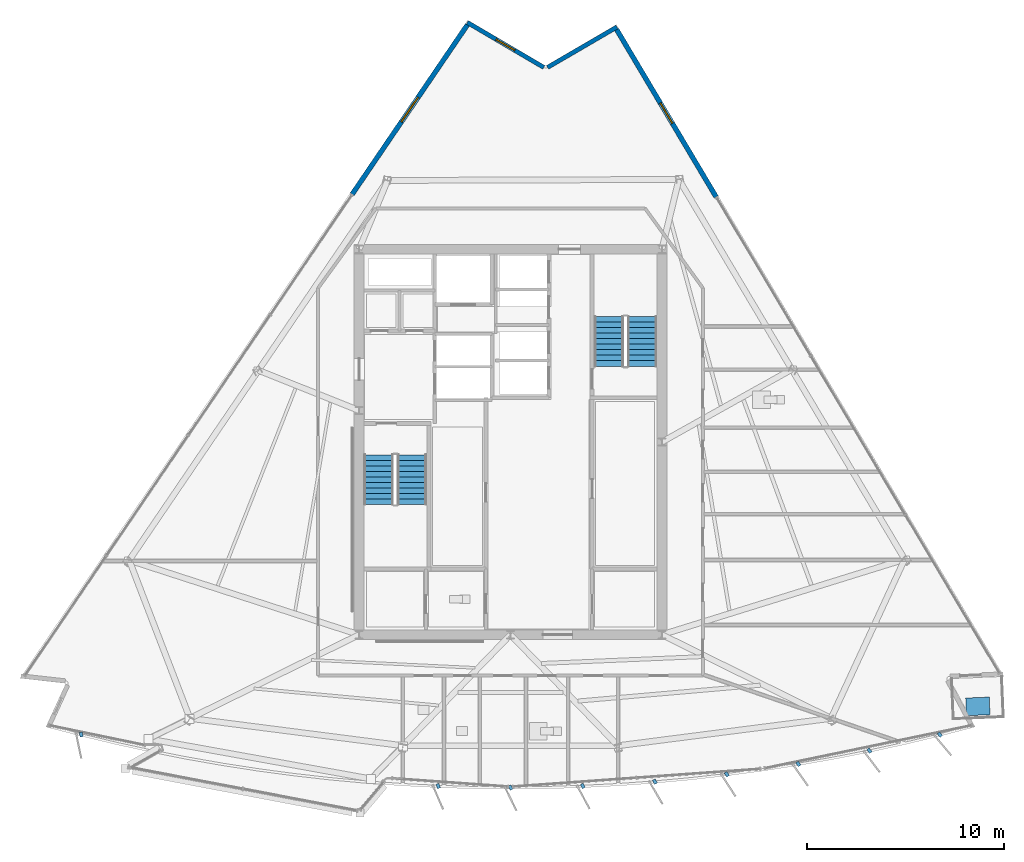
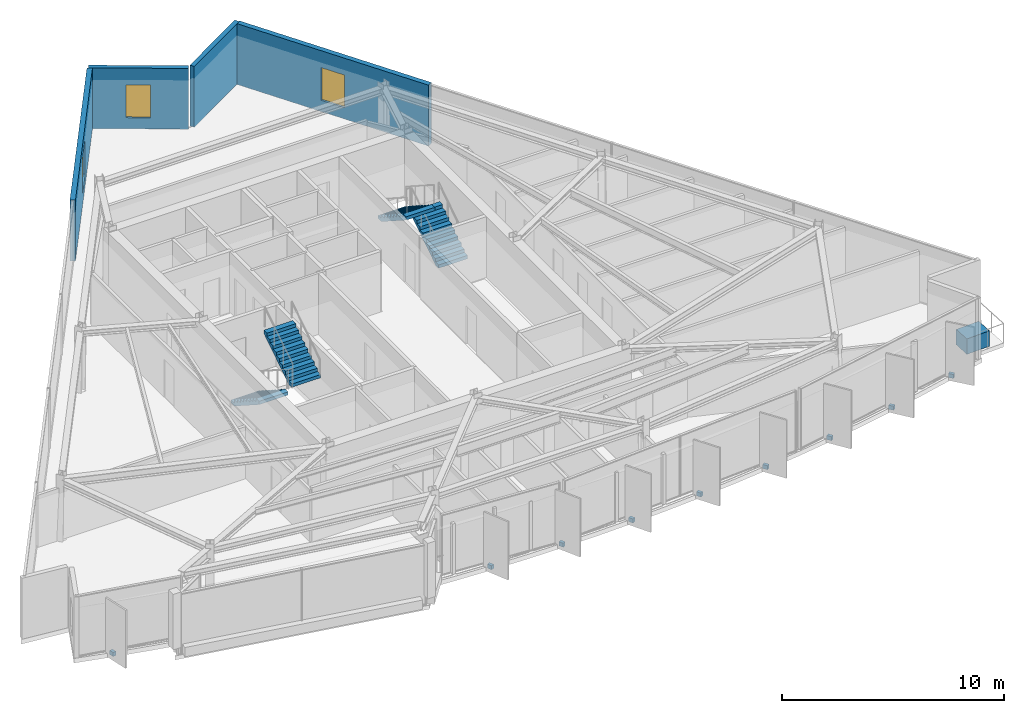
# One storey, part 9 of 14: 10 discrete accessories, 4 stair flights, 4 walls, 3 windows, 3 openings, 2 elements without a shape of their own.
"""IFC4 building model written with IfcOpenShell, lengths in metres."""

from ifc_helpers import new_model, si_unit, direction, frame, frame_2d, origin, origin_2d, place, context, subcontext, project, spatial, polyline, rectangle, outline, extrude, material, layer, layer_set, type_object, element, fill, aggregate, save


model = new_model("IFC4")

# Units and contexts
model_context = context("Model", 3, precision=1e-05, world=origin(), true_north=direction((0.0, 1.0)))
body_context = subcontext(model_context, "Body", "Model", "MODEL_VIEW")
ifc_project = project(units=[si_unit("LENGTHUNIT", "METRE"), si_unit("AREAUNIT", "SQUARE_METRE"), si_unit("VOLUMEUNIT", "CUBIC_METRE"), si_unit("PLANEANGLEUNIT", "RADIAN"), si_unit("MASSUNIT", "GRAM", prefix="KILO")], contexts=[model_context])

# Site, building, storey
site_placement = place(None, origin())
site = spatial("IfcSite", under=ifc_project, at=site_placement, CompositionType="ELEMENT")
building_placement = place(site_placement, origin())
building = spatial("IfcBuilding", under=site, at=building_placement, Name="Savorim Split Tower", CompositionType="ELEMENT")
storey_placement = place(building_placement, frame((0.0, 0.0, 227.10009765625)))
storey = spatial("IfcBuildingStorey", under=building, at=storey_placement, Name="L60", CompositionType="ELEMENT", Elevation=227.10009765625)

# Wall
ifc_material_1 = material(Name="Precast concrete C40/50", Category="concrete")
ifc_layer_1 = layer(ifc_material_1, 0.219970703125)
ifc_layer_set_1 = layer_set([ifc_layer_1], Name="WAL-EXT-CRN220")
wall_type_1 = type_object("IfcWallType", Name="WAL-EXT-CRN220", PredefinedType="SOLIDWALL", material=ifc_layer_set_1)
wall_1_placement = place(storey_placement, frame((1.8837890625, 19.445068359375, 0.0), z_axis=(0.0, 0.0, 1.0), x_axis=(0.863969645804, 0.50354389196, 0.0)))
element("IfcWall", 1, at=wall_1_placement, inside=storey, type_object=wall_type_1, Name="L60 Notched Corner Facade Wall NE1", PredefinedType="SOLIDWALL", context=body_context, shape_type="SweptSolid", body=[
    extrude(rectangle(XDim=4.083740234375, YDim=0.219970703125, at=frame_2d((2.0419921875, 0.0))), origin(), (0.0, 0.0, 1.0), 3.349853515625),
])

# Wall, opening, window
wall_2_placement = place(storey_placement, frame((-2.196533203125, 21.731689453125, 0.0), z_axis=(0.0, 0.0, 1.0), x_axis=(0.862121926844, -0.506700881442, 0.0)))
wall_2 = element("IfcWall", 2, at=wall_2_placement, inside=storey, type_object=wall_type_1, Name="L60 Notched Corner Facade Wall N", PredefinedType="SOLIDWALL", context=body_context, shape_type="SweptSolid", body=[
    extrude(rectangle(XDim=4.51220703125, YDim=0.219970703125, at=frame_2d((2.256103515625, 0.0))), origin(), (0.0, 0.0, 1.0), 3.349853515625),
])
opening_1_placement = place(wall_2_placement, frame((1.7060546875, 0.0, 0.6201171875)))
opening_1 = element("IfcOpeningElement", 3, at=opening_1_placement, cuts=wall_2, Name="Opening WN-09", PredefinedType="OPENING", context=body_context, shape_type="SweptSolid", body=[
    extrude(rectangle(XDim=1.10009765625, YDim=1.800048828125, at=frame_2d((0.550048828125, 0.89990234375))), frame((0.0, 0.119873046875, 0.0), z_axis=(0.0, -1.0, 0.0), x_axis=(1.0, 0.0, 0.0)), (0.0, 0.0, 1.0), 0.239990234375),
])
ifc_material_2 = material(Name="Low-E Operable Double Glazing", Category="glass")
window_type_1 = type_object("IfcWindowType", Name="WIN-TWR-1100x1800", PartitioningType="SINGLE_PANEL", PredefinedType="WINDOW", material=ifc_material_2)
window_1_placement = place(opening_1_placement, origin())
window_1 = element("IfcWindow", 4, at=window_1_placement, inside=storey, type_object=window_type_1, Name="L60 Operable Corner Window N", OverallHeight=1.800048828125, OverallWidth=1.10009765625, PartitioningType="SINGLE_PANEL", PredefinedType="WINDOW", context=body_context, shape_type="SweptSolid", body=[
    extrude(rectangle(XDim=1.10009765625, YDim=1.800048828125, at=frame_2d((0.550048828125, 0.89990234375))), frame((0.0, 0.030029296875, 0.0), z_axis=(0.0, -1.0, 0.0), x_axis=(1.0, 0.0, 0.0)), (0.0, 0.0, 1.0), 0.06005859375),
])
fill(opening_1, window_1)

ifc_layer_2 = layer(ifc_material_1, 0.25)
ifc_layer_set_2 = layer_set([ifc_layer_2], Name="WAL-EXT-SPN250")
wall_type_2 = type_object("IfcWallType", Name="WAL-EXT-SPN250", PredefinedType="SOLIDWALL", material=ifc_layer_set_2)
wall_3_placement = place(storey_placement, frame((5.3955078125, 21.374755859375, 0.0), z_axis=(0.0, 0.0, 1.0), x_axis=(0.511082771111, -0.85953150092, 0.0)))
wall_3 = element("IfcWall", 5, at=wall_3_placement, inside=storey, type_object=wall_type_2, Name="L60 East Operable Window Pier", PredefinedType="SOLIDWALL", context=body_context, shape_type="SweptSolid", body=[
    extrude(rectangle(XDim=9.91064453125, YDim=0.25, at=frame_2d((4.955322265625, 0.0))), origin(), (0.0, 0.0, 1.0), 3.349853515625),
])
opening_2_placement = place(wall_3_placement, frame((4.35546875, 0.0, 0.6201171875)))
opening_2 = element("IfcOpeningElement", 6, at=opening_2_placement, cuts=wall_3, Name="Opening WN-08", PredefinedType="OPENING", context=body_context, shape_type="SweptSolid", body=[
    extrude(rectangle(XDim=1.199951171875, YDim=1.800048828125, at=frame_2d((0.60009765625, 0.89990234375))), frame((0.0, 0.135009765625, 0.0), z_axis=(0.0, -1.0, 0.0), x_axis=(1.0, 0.0, 0.0)), (0.0, 0.0, 1.0), 0.27001953125),
])
window_type_2 = type_object("IfcWindowType", Name="WIN-TWR-1200x1800", PartitioningType="SINGLE_PANEL", PredefinedType="WINDOW", material=ifc_material_2)
window_2_placement = place(opening_2_placement, origin())
window_2 = element("IfcWindow", 7, at=window_2_placement, inside=storey, type_object=window_type_2, Name="L60 East Operable Ventilation Window", OverallHeight=1.800048828125, OverallWidth=1.199951171875, PartitioningType="SINGLE_PANEL", PredefinedType="WINDOW", context=body_context, shape_type="SweptSolid", body=[
    extrude(rectangle(XDim=1.199951171875, YDim=1.800048828125, at=frame_2d((0.60009765625, 0.89990234375))), frame((0.0, 0.030029296875, 0.0), z_axis=(0.0, -1.0, 0.0), x_axis=(1.0, 0.0, 0.0)), (0.0, 0.0, 1.0), 0.06005859375),
])
fill(opening_2, window_2)

wall_4_placement = place(storey_placement, frame((-8.05029296875, 12.998291015625, 0.0), z_axis=(0.0, 0.0, 1.0), x_axis=(0.562447281182, 0.826833148762, 0.0)))
wall_4 = element("IfcWall", 8, at=wall_4_placement, inside=storey, type_object=wall_type_2, Name="L60 West Operable Window Pier", PredefinedType="SOLIDWALL", context=body_context, shape_type="SweptSolid", body=[
    extrude(rectangle(XDim=10.41064453125, YDim=0.25, at=frame_2d((5.205322265625, 0.0))), origin(), (0.0, 0.0, 1.0), 3.349853515625),
])
opening_3_placement = place(wall_4_placement, frame((4.455322265625, 0.0, 0.6201171875)))
opening_3 = element("IfcOpeningElement", 9, at=opening_3_placement, cuts=wall_4, Name="Opening WN-06", PredefinedType="OPENING", context=body_context, shape_type="SweptSolid", body=[
    extrude(rectangle(XDim=1.5, YDim=2.0, at=frame_2d((0.75, 1.0))), frame((0.0, 0.135009765625, 0.0), z_axis=(0.0, -1.0, 0.0), x_axis=(1.0, 0.0, 0.0)), (0.0, 0.0, 1.0), 0.27001953125),
])
window_type_3 = type_object("IfcWindowType", Name="WIN-TWR-1500x2000", PartitioningType="SINGLE_PANEL", PredefinedType="WINDOW", material=ifc_material_2)
window_3_placement = place(opening_3_placement, origin())
window_3 = element("IfcWindow", 10, at=window_3_placement, inside=storey, type_object=window_type_3, Name="L60 West Operable Ventilation Window", OverallHeight=2.0, OverallWidth=1.5, PartitioningType="SINGLE_PANEL", PredefinedType="WINDOW", context=body_context, shape_type="SweptSolid", body=[
    extrude(rectangle(XDim=1.5, YDim=2.0, at=frame_2d((0.75, 1.0))), frame((0.0, 0.030029296875, 0.0), z_axis=(0.0, -1.0, 0.0), x_axis=(1.0, 0.0, 0.0)), (0.0, 0.0, 1.0), 0.06005859375),
])
fill(opening_3, window_3)

# Stair, stair flights
ifc_material_3 = material(Name="Concrete C50/60", Category="concrete")
stair_type = type_object("IfcStairType", Name="STR-DOG-3600", PredefinedType="HALF_TURN_STAIR", material=ifc_material_3)
stair_1_placement = place(storey_placement, origin())
stair_1 = element("IfcStair", 11, at=stair_1_placement, inside=storey, type_object=stair_type, Name="L60 Core Protected Exit Stair ST-1", PredefinedType="HALF_TURN_STAIR")
stair_flight_type = type_object("IfcStairFlightType", Name="SFL-DOG-3600", PredefinedType="STRAIGHT", material=ifc_material_3)
stair_flight_1_placement = place(storey_placement, frame((-6.699951171875, -0.25, 0.0), z_axis=(0.0, 0.0, 1.0), x_axis=(0.0, -1.0, 0.0)))
stair_flight_1 = element("IfcStairFlight", 12, at=stair_flight_1_placement, type_object=stair_flight_type, Name="ST-1 flight 1", NumberOfRisers=10, NumberOfTreads=9, PredefinedType="STRAIGHT", RiserHeight=0.18, TreadLength=0.28, context=body_context, shape_type="SweptSolid", body=[
    extrude(outline(polyline([(0.0, 0.0), (0.0, 0.179931640625), (0.280029296875, 0.179931640625), (0.280029296875, 0.360107421875), (0.56005859375, 0.360107421875), (0.56005859375, 0.5400390625), (0.840087890625, 0.5400390625), (0.840087890625, 0.719970703125), (1.1201171875, 0.719970703125), (1.1201171875, 0.89990234375), (1.39990234375, 0.89990234375), (1.39990234375, 1.080078125), (1.679931640625, 1.080078125), (1.679931640625, 1.260009765625), (1.9599609375, 1.260009765625), (1.9599609375, 1.43994140625), (2.239990234375, 1.43994140625), (2.239990234375, 1.6201171875), (2.52001953125, 1.6201171875), (2.52001953125, 1.800048828125), (2.52001953125, 1.44189453125), (0.277099609375, 0.0), (0.0, 0.0)])), frame((0.0, 0.75, 0.0), z_axis=(0.0, -1.0, 0.0), x_axis=(1.0, 0.0, 0.0)), (0.0, 0.0, 1.0), 1.5),
])
stair_flight_2_placement = place(storey_placement, frame((-5.0, -2.77001953125, 1.7998046875), z_axis=(0.0, 0.0, 1.0), x_axis=(0.0, 1.0, 0.0)))
stair_flight_2 = element("IfcStairFlight", 13, at=stair_flight_2_placement, type_object=stair_flight_type, Name="ST-1 flight 2", NumberOfRisers=10, NumberOfTreads=9, PredefinedType="STRAIGHT", RiserHeight=0.18, TreadLength=0.28, context=body_context, shape_type="SweptSolid", body=[
    extrude(outline(polyline([(0.0, 0.0), (0.0, 0.179931640625), (0.280029296875, 0.179931640625), (0.280029296875, 0.360107421875), (0.56005859375, 0.360107421875), (0.56005859375, 0.5400390625), (0.840087890625, 0.5400390625), (0.840087890625, 0.719970703125), (1.1201171875, 0.719970703125), (1.1201171875, 0.89990234375), (1.39990234375, 0.89990234375), (1.39990234375, 1.080078125), (1.679931640625, 1.080078125), (1.679931640625, 1.260009765625), (1.9599609375, 1.260009765625), (1.9599609375, 1.43994140625), (2.239990234375, 1.43994140625), (2.239990234375, 1.6201171875), (2.52001953125, 1.6201171875), (2.52001953125, 1.800048828125), (2.52001953125, 1.44189453125), (0.277099609375, 0.0), (0.0, 0.0)])), frame((0.0, 0.75, 0.0), z_axis=(0.0, -1.0, 0.0), x_axis=(1.0, 0.0, 0.0)), (0.0, 0.0, 1.0), 1.5),
])
aggregate(stair_1, [stair_flight_1, stair_flight_2])

stair_2_placement = place(storey_placement, origin())
stair_2 = element("IfcStair", 14, at=stair_2_placement, inside=storey, type_object=stair_type, Name="L60 Core Protected Exit Stair ST-2", PredefinedType="HALF_TURN_STAIR")
stair_flight_3_placement = place(storey_placement, frame((6.699951171875, 4.25, 0.0), z_axis=(0.0, 0.0, 1.0), x_axis=(0.0, 1.0, 0.0)))
stair_flight_3 = element("IfcStairFlight", 15, at=stair_flight_3_placement, type_object=stair_flight_type, Name="ST-2 flight 1", NumberOfRisers=10, NumberOfTreads=9, PredefinedType="STRAIGHT", RiserHeight=0.18, TreadLength=0.28, context=body_context, shape_type="SweptSolid", body=[
    extrude(outline(polyline([(0.0, 0.0), (0.0, 0.179931640625), (0.280029296875, 0.179931640625), (0.280029296875, 0.360107421875), (0.56005859375, 0.360107421875), (0.56005859375, 0.5400390625), (0.840087890625, 0.5400390625), (0.840087890625, 0.719970703125), (1.1201171875, 0.719970703125), (1.1201171875, 0.89990234375), (1.39990234375, 0.89990234375), (1.39990234375, 1.080078125), (1.679931640625, 1.080078125), (1.679931640625, 1.260009765625), (1.9599609375, 1.260009765625), (1.9599609375, 1.43994140625), (2.239990234375, 1.43994140625), (2.239990234375, 1.6201171875), (2.52001953125, 1.6201171875), (2.52001953125, 1.800048828125), (2.52001953125, 1.44189453125), (0.277099609375, 0.0), (0.0, 0.0)])), frame((0.0, 0.75, 0.0), z_axis=(0.0, -1.0, 0.0), x_axis=(1.0, 0.0, 0.0)), (0.0, 0.0, 1.0), 1.5),
])
stair_flight_4_placement = place(storey_placement, frame((5.0, 6.77001953125, 1.7998046875), z_axis=(0.0, 0.0, 1.0), x_axis=(0.0, -1.0, 0.0)))
stair_flight_4 = element("IfcStairFlight", 16, at=stair_flight_4_placement, type_object=stair_flight_type, Name="ST-2 flight 2", NumberOfRisers=10, NumberOfTreads=9, PredefinedType="STRAIGHT", RiserHeight=0.18, TreadLength=0.28, context=body_context, shape_type="SweptSolid", body=[
    extrude(outline(polyline([(0.0, 0.0), (0.0, 0.179931640625), (0.280029296875, 0.179931640625), (0.280029296875, 0.360107421875), (0.56005859375, 0.360107421875), (0.56005859375, 0.5400390625), (0.840087890625, 0.5400390625), (0.840087890625, 0.719970703125), (1.1201171875, 0.719970703125), (1.1201171875, 0.89990234375), (1.39990234375, 0.89990234375), (1.39990234375, 1.080078125), (1.679931640625, 1.080078125), (1.679931640625, 1.260009765625), (1.9599609375, 1.260009765625), (1.9599609375, 1.43994140625), (2.239990234375, 1.43994140625), (2.239990234375, 1.6201171875), (2.52001953125, 1.6201171875), (2.52001953125, 1.800048828125), (2.52001953125, 1.44189453125), (0.277099609375, 0.0), (0.0, 0.0)])), frame((0.0, 0.75, 0.0), z_axis=(0.0, -1.0, 0.0), x_axis=(1.0, 0.0, 0.0)), (0.0, 0.0, 1.0), 1.5),
])
aggregate(stair_2, [stair_flight_3, stair_flight_4])

# Discrete accessories
ifc_material_4 = material(Name="Steel S355", Category="steel")
discrete_accessory_type_1 = type_object("IfcDiscreteAccessoryType", Name="ACC-BRK-FIN", PredefinedType="BRACKET", material=ifc_material_4)
for number, where, z_axis, x_axis, name in (
    (17, (-21.830078125, -14.47900390625, -0.18994140625), (0.0, 0.0, 1.0), (0.206721626106, -0.978399800337, 0.0), "L60 Fin Slab-Edge Cleat Bracket 01"),
    (18, (-3.674072265625, -17.09765625, -0.18994140625), (0.0, 0.0, 1.0), (0.401230091723, -0.915977299662, 0.0), "L60 Fin Slab-Edge Cleat Bracket 06"),
    (19, (0.0, -17.1728515625, -0.18994140625), (0.0, 0.0, 1.0), (0.438371146789, -0.898794046299, 0.0), "L60 Fin Slab-Edge Cleat Bracket 07"),
    (20, (3.674072265625, -17.09765625, -0.18994140625), (0.0, 0.0, 1.0), (0.474778051978, -0.880105562623, 0.0), "L60 Fin Slab-Edge Cleat Bracket 08"),
    (21, (7.342041015625, -16.8720703125, -0.18994140625), (0.0, 0.0, 1.0), (0.510391336723, -0.859942255851, 0.0), "L60 Fin Slab-Edge Cleat Bracket 09"),
    (22, (10.997802734375, -16.496826171875, -0.18994140625), (0.0, 0.0, 1.0), (0.545148321708, -0.838339613366, 0.0), "L60 Fin Slab-Edge Cleat Bracket 10"),
    (23, (14.635009765625, -15.97216796875, -0.18994140625), (0.0, 0.0, 1.0), (0.578993757737, -0.815331974414, 0.0), "L60 Fin Slab-Edge Cleat Bracket 11"),
    (24, (18.247802734375, -15.29931640625, -0.18994140625), (0.0, 0.0, 1.0), (0.611868076908, -0.790959832394, 0.0), "L60 Fin Slab-Edge Cleat Bracket 12"),
    (25, (21.830078125, -14.47900390625, -0.18994140625), (0.0, 0.0, 1.0), (0.643719022682, -0.765261928909, 0.0), "L60 Fin Slab-Edge Cleat Bracket 13"),
):
    element("IfcDiscreteAccessory", number, at=place(storey_placement, frame(where, z_axis=z_axis, x_axis=x_axis)), inside=storey, type_object=discrete_accessory_type_1, Name=name, PredefinedType="BRACKET", context=body_context, shape_type="SweptSolid", body=[
        extrude(rectangle(XDim=0.239990234375, YDim=0.159912109375, at=origin_2d()), origin(), (0.0, 0.0, 1.0), 0.219970703125),
    ])
ifc_material_5 = material(Name="Architectural Precast Planter Concrete C40/50", Category="concrete")
discrete_accessory_type_2 = type_object("IfcDiscreteAccessoryType", Name="ACC-PLN-TREE", PredefinedType="USERDEFINED", material=ifc_material_5)
discrete_accessory_placement = place(storey_placement, frame((23.764404296875, -13.044677734375, -0.000244140625), z_axis=(0.0, 0.0, 1.0), x_axis=(0.999095802281, 0.042515619072, 0.0)))
element("IfcDiscreteAccessory", 26, at=discrete_accessory_placement, inside=storey, type_object=discrete_accessory_type_2, Name="L60 Balcony Precast Tree Planter SE", ObjectType="PLANTER", PredefinedType="USERDEFINED", context=body_context, shape_type="SweptSolid", body=[
    extrude(rectangle(XDim=1.199951171875, YDim=0.89990234375, at=origin_2d()), origin(), (0.0, 0.0, 1.0), 0.85009765625),
])

save(model, "model.ifc")
